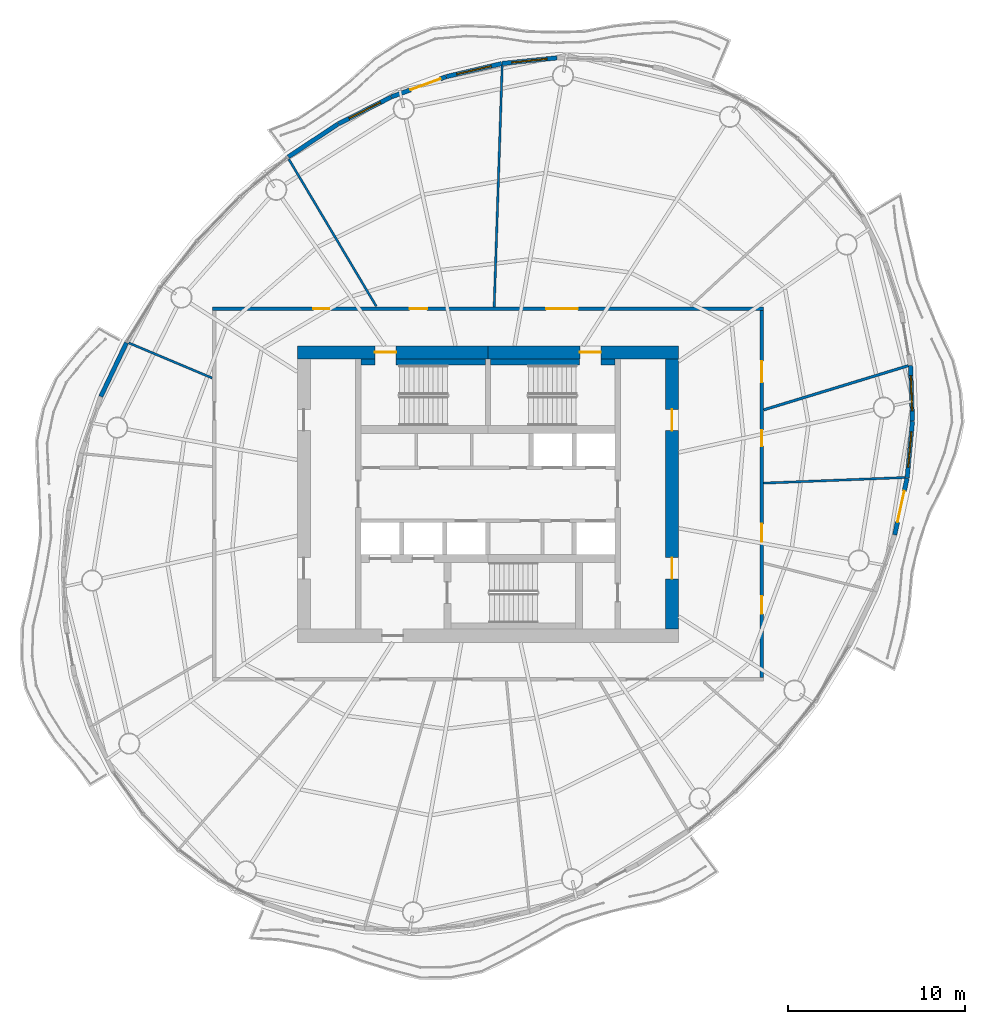
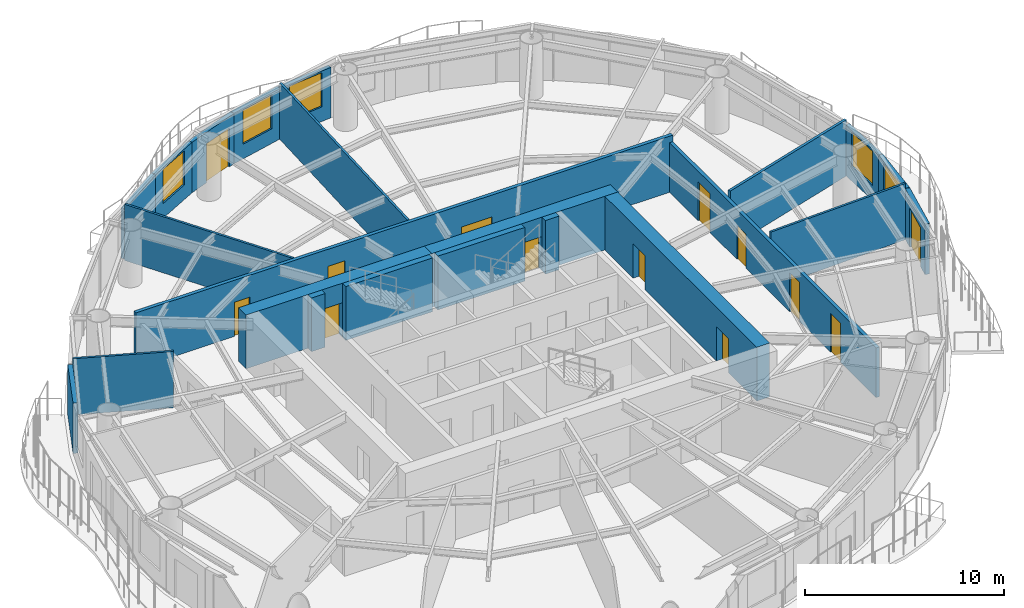
# One storey, part 10 of 14: 23 walls, 13 doors, 5 windows, 18 openings.
"""IFC4 building model written with IfcOpenShell, lengths in metres."""

from ifc_helpers import new_model, si_unit, direction, frame, frame_2d, origin, place, context, subcontext, project, spatial, rectangle, extrude, material, layer, layer_set, type_object, element, fill, save


model = new_model("IFC4")

# Units and contexts
model_context = context("Model", 3, precision=1e-05, world=origin(), true_north=direction((0.0, 1.0)))
body_context = subcontext(model_context, "Body", "Model", "MODEL_VIEW")
ifc_project = project(units=[si_unit("LENGTHUNIT", "METRE"), si_unit("AREAUNIT", "SQUARE_METRE"), si_unit("VOLUMEUNIT", "CUBIC_METRE"), si_unit("PLANEANGLEUNIT", "RADIAN"), si_unit("MASSUNIT", "GRAM", prefix="KILO")], contexts=[model_context])

# Site, building, storey
site_placement = place(None, origin())
site = spatial("IfcSite", under=ifc_project, at=site_placement, CompositionType="ELEMENT")
building_placement = place(site_placement, origin())
building = spatial("IfcBuilding", under=site, at=building_placement, Name="Vermilion Reach Broadcast Tower", CompositionType="ELEMENT")
storey_placement = place(building_placement, frame((0.0, 0.0, 228.10009765625)))
storey = spatial("IfcBuildingStorey", under=building, at=storey_placement, Name="L56", CompositionType="ELEMENT", Elevation=228.10009765625)

# Wall, opening, door
ifc_material_1 = material(Name="Concrete C60", Category="concrete")
ifc_layer_1 = layer(ifc_material_1, 0.75)
ifc_layer_set_1 = layer_set([ifc_layer_1], Name="Core outer wall 750 mm Concrete C60")
wall_type_1 = type_object("IfcWallType", Name="Core outer wall 750 mm Concrete C60", PredefinedType="SHEAR", material=ifc_layer_set_1)
wall_1_placement = place(storey_placement, frame((4.800048828125, 8.02490234375, 0.0), z_axis=(0.0, 0.0, 1.0), x_axis=(-1.0, 0.0, 0.0)))
wall_1 = element("IfcWall", 1, at=wall_1_placement, inside=storey, type_object=wall_type_1, Name="L56 core wall onE", PredefinedType="SHEAR", context=body_context, shape_type="SweptSolid", body=[
    extrude(rectangle(XDim=10.800048828125, YDim=0.75, at=frame_2d((5.39990234375, 0.0))), origin(), (0.0, 0.0, 1.0), 3.2998046875),
])
opening_1_placement = place(wall_1_placement, frame((4.39990234375, 0.0, 0.0)))
opening_1 = element("IfcOpeningElement", 2, at=opening_1_placement, cuts=wall_1, Name="Opening D01", PredefinedType="OPENING", context=body_context, shape_type="SweptSolid", body=[
    extrude(rectangle(XDim=1.199951171875, YDim=2.10009765625, at=frame_2d((0.60009765625, 1.050048828125))), frame((0.0, 0.385009765625, 0.0), z_axis=(0.0, -1.0, 0.0), x_axis=(1.0, 0.0, 0.0)), (0.0, 0.0, 1.0), 0.77001953125),
])
ifc_material_2 = material(Name="Painted steel fire door", Category="steel")
door_type_1 = type_object("IfcDoorType", Name="Stair door 1200 x 2100", OperationType="DOUBLE_DOOR_SINGLE_SWING", PredefinedType="NOTDEFINED", material=ifc_material_2)
door_1_placement = place(opening_1_placement, origin())
door_1 = element("IfcDoor", 3, at=door_1_placement, inside=storey, type_object=door_type_1, Name="L56 stair door ST2", OperationType="DOUBLE_DOOR_SINGLE_SWING", OverallHeight=2.10009765625, OverallWidth=1.199951171875, PredefinedType="NOTDEFINED", context=body_context, shape_type="SweptSolid", body=[
    extrude(rectangle(XDim=1.199951171875, YDim=2.10009765625, at=frame_2d((0.60009765625, 1.050048828125))), frame((0.0, 0.02490234375, 0.0), z_axis=(0.0, -1.0, 0.0), x_axis=(1.0, 0.0, 0.0)), (0.0, 0.0, 1.0), 0.050048828125),
])
fill(opening_1, door_1)

wall_2_placement = place(storey_placement, frame((-6.0, 8.02490234375, 0.0), z_axis=(0.0, 0.0, 1.0), x_axis=(-1.0, 0.0, 0.0)))
wall_2 = element("IfcWall", 4, at=wall_2_placement, inside=storey, type_object=wall_type_1, Name="L56 core wall onW", PredefinedType="SHEAR", context=body_context, shape_type="SweptSolid", body=[
    extrude(rectangle(XDim=10.800048828125, YDim=0.75, at=frame_2d((5.39990234375, 0.0))), origin(), (0.0, 0.0, 1.0), 3.2998046875),
])
opening_2_placement = place(wall_2_placement, frame((5.199951171875, 0.0, 0.0)))
opening_2 = element("IfcOpeningElement", 5, at=opening_2_placement, cuts=wall_2, Name="Opening D01", PredefinedType="OPENING", context=body_context, shape_type="SweptSolid", body=[
    extrude(rectangle(XDim=1.199951171875, YDim=2.10009765625, at=frame_2d((0.60009765625, 1.050048828125))), frame((0.0, 0.385009765625, 0.0), z_axis=(0.0, -1.0, 0.0), x_axis=(1.0, 0.0, 0.0)), (0.0, 0.0, 1.0), 0.77001953125),
])
door_2_placement = place(opening_2_placement, origin())
door_2 = element("IfcDoor", 6, at=door_2_placement, inside=storey, type_object=door_type_1, Name="L56 stair door ST1", OperationType="DOUBLE_DOOR_SINGLE_SWING", OverallHeight=2.10009765625, OverallWidth=1.199951171875, PredefinedType="NOTDEFINED", context=body_context, shape_type="SweptSolid", body=[
    extrude(rectangle(XDim=1.199951171875, YDim=2.10009765625, at=frame_2d((0.60009765625, 1.050048828125))), frame((0.0, 0.02490234375, 0.0), z_axis=(0.0, -1.0, 0.0), x_axis=(1.0, 0.0, 0.0)), (0.0, 0.0, 1.0), 0.050048828125),
])
fill(opening_2, door_2)

# Wall, openings, doors
wall_3_placement = place(storey_placement, frame((4.425048828125, -7.64990234375, 0.0), z_axis=(0.0, 0.0, 1.0), x_axis=(0.0, 1.0, 0.0)))
wall_3 = element("IfcWall", 7, at=wall_3_placement, inside=storey, type_object=wall_type_1, Name="L56 core wall oe", PredefinedType="SHEAR", context=body_context, shape_type="SweptSolid", body=[
    extrude(rectangle(XDim=15.2998046875, YDim=0.75, at=frame_2d((7.64990234375, 0.0))), origin(), (0.0, 0.0, 1.0), 3.2998046875),
])
opening_3_placement = place(wall_3_placement, frame((2.85009765625, 0.0, 0.0)))
opening_3 = element("IfcOpeningElement", 8, at=opening_3_placement, cuts=wall_3, Name="Opening D03", PredefinedType="OPENING", context=body_context, shape_type="SweptSolid", body=[
    extrude(rectangle(XDim=1.199951171875, YDim=2.10009765625, at=frame_2d((0.60009765625, 1.050048828125))), frame((0.0, 0.385009765625, 0.0), z_axis=(0.0, -1.0, 0.0), x_axis=(1.0, 0.0, 0.0)), (0.0, 0.0, 1.0), 0.77001953125),
])
opening_4_placement = place(wall_3_placement, frame((11.25, 0.0, 0.0)))
opening_4 = element("IfcOpeningElement", 9, at=opening_4_placement, cuts=wall_3, Name="Opening D03", PredefinedType="OPENING", context=body_context, shape_type="SweptSolid", body=[
    extrude(rectangle(XDim=1.199951171875, YDim=2.10009765625, at=frame_2d((0.60009765625, 1.050048828125))), frame((0.0, 0.385009765625, 0.0), z_axis=(0.0, -1.0, 0.0), x_axis=(1.0, 0.0, 0.0)), (0.0, 0.0, 1.0), 0.77001953125),
])
ifc_material_3 = material(Name="Painted steel fire door", Category="steel")
door_type_2 = type_object("IfcDoorType", Name="Core lobby door 1200 x 2100", OperationType="DOUBLE_DOOR_SINGLE_SWING", PredefinedType="NOTDEFINED", material=ifc_material_3)
door_3_placement = place(opening_3_placement, origin())
door_3 = element("IfcDoor", 10, at=door_3_placement, inside=storey, type_object=door_type_2, Name="L56 slot door E0", OperationType="DOUBLE_DOOR_SINGLE_SWING", OverallHeight=2.10009765625, OverallWidth=1.199951171875, PredefinedType="NOTDEFINED", context=body_context, shape_type="SweptSolid", body=[
    extrude(rectangle(XDim=1.199951171875, YDim=2.10009765625, at=frame_2d((0.60009765625, 1.050048828125))), frame((0.0, 0.02490234375, 0.0), z_axis=(0.0, -1.0, 0.0), x_axis=(1.0, 0.0, 0.0)), (0.0, 0.0, 1.0), 0.050048828125),
])
fill(opening_3, door_3)
door_4_placement = place(opening_4_placement, origin())
door_4 = element("IfcDoor", 11, at=door_4_placement, inside=storey, type_object=door_type_2, Name="L56 slot door E1", OperationType="DOUBLE_DOOR_SINGLE_SWING", OverallHeight=2.10009765625, OverallWidth=1.199951171875, PredefinedType="NOTDEFINED", context=body_context, shape_type="SweptSolid", body=[
    extrude(rectangle(XDim=1.199951171875, YDim=2.10009765625, at=frame_2d((0.60009765625, 1.050048828125))), frame((0.0, 0.02490234375, 0.0), z_axis=(0.0, -1.0, 0.0), x_axis=(1.0, 0.0, 0.0)), (0.0, 0.0, 1.0), 0.050048828125),
])
fill(opening_4, door_4)

# Walls
ifc_material_4 = material(Name="Concrete C60", Category="concrete")
ifc_layer_2 = layer(ifc_material_4, 0.35009765625)
ifc_layer_set_2 = layer_set([ifc_layer_2], Name="Core stair wall 350 mm Concrete C60")
wall_type_2 = type_object("IfcWallType", Name="Core stair wall 350 mm Concrete C60", PredefinedType="SHEAR", material=ifc_layer_set_2)
wall_4_placement = place(storey_placement, frame((-13.199951171875, 7.47509765625, 0.0), z_axis=(0.0, 0.0, 1.0), x_axis=(1.0, 0.0, 0.0)))
element("IfcWall", 12, at=wall_4_placement, inside=storey, type_object=wall_type_2, Name="L56 core wall l1a", PredefinedType="SHEAR", context=body_context, shape_type="SweptSolid", body=[
    extrude(rectangle(XDim=0.800048828125, YDim=0.35009765625, at=frame_2d((0.39990234375, 0.0))), origin(), (0.0, 0.0, 1.0), 3.2998046875),
])
for number, where, z_axis, x_axis, name in (
    (13, (-11.199951171875, 7.47509765625, 0.0), (0.0, 0.0, 1.0), (1.0, 0.0, 0.0), "L56 core wall l1b"),
    (14, (-5.85009765625, 7.47509765625, 0.0), (0.0, 0.0, 1.0), (1.0, 0.0, 0.0), "L56 core wall l2a"),
):
    element("IfcWall", number, at=place(storey_placement, frame(where, z_axis=z_axis, x_axis=x_axis)), inside=storey, type_object=wall_type_2, Name=name, PredefinedType="SHEAR", context=body_context, shape_type="SweptSolid", body=[
        extrude(rectangle(XDim=5.050048828125, YDim=0.35009765625, at=frame_2d((2.52490234375, 0.0))), origin(), (0.0, 0.0, 1.0), 3.2998046875),
    ])
wall_5_placement = place(storey_placement, frame((0.39990234375, 7.47509765625, 0.0), z_axis=(0.0, 0.0, 1.0), x_axis=(1.0, 0.0, 0.0)))
element("IfcWall", 15, at=wall_5_placement, inside=storey, type_object=wall_type_2, Name="L56 core wall l2b", PredefinedType="SHEAR", context=body_context, shape_type="SweptSolid", body=[
    extrude(rectangle(XDim=0.800048828125, YDim=0.35009765625, at=frame_2d((0.39990234375, 0.0))), origin(), (0.0, 0.0, 1.0), 3.2998046875),
])

# Wall, openings, doors
ifc_material_5 = material(Name="Fire-rated gypsum board partition")
ifc_layer_3 = layer(ifc_material_5, 0.199951171875)
ifc_layer_set_3 = layer_set([ifc_layer_3], Name="Corridor wall 200 fire-rated")
wall_type_3 = type_object("IfcWallType", Name="Corridor wall 200 fire-rated", PredefinedType="PARTITIONING", material=ifc_layer_set_3)
wall_6_placement = place(storey_placement, frame((-21.60009765625, 10.5, 0.0), z_axis=(0.0, 0.0, 1.0), x_axis=(1.0, 0.0, 0.0)))
wall_6 = element("IfcWall", 16, at=wall_6_placement, inside=storey, type_object=wall_type_3, Name="Corridor wall 56.N", PredefinedType="PARTITIONING", context=body_context, shape_type="SweptSolid", body=[
    extrude(rectangle(XDim=31.2001953125, YDim=0.199951171875, at=frame_2d((15.60009765625, 0.0))), origin(), (0.0, 0.0, 1.0), 3.449951171875),
])
opening_5_placement = place(wall_6_placement, frame((11.157470703125, 0.0, 0.0)))
opening_5 = element("IfcOpeningElement", 17, at=opening_5_placement, cuts=wall_6, Name="Opening D23", PredefinedType="OPENING", context=body_context, shape_type="SweptSolid", body=[
    extrude(rectangle(XDim=1.0, YDim=2.39990234375, at=frame_2d((0.5, 1.199951171875))), frame((0.0, 0.10986328125, 0.0), z_axis=(0.0, -1.0, 0.0), x_axis=(1.0, 0.0, 0.0)), (0.0, 0.0, 1.0), 0.219970703125),
])
opening_6_placement = place(wall_6_placement, frame((5.7119140625, 0.0, 0.0)))
opening_6 = element("IfcOpeningElement", 18, at=opening_6_placement, cuts=wall_6, Name="Opening D22", PredefinedType="OPENING", context=body_context, shape_type="SweptSolid", body=[
    extrude(rectangle(XDim=0.89990234375, YDim=2.10009765625, at=frame_2d((0.449951171875, 1.050048828125))), frame((0.0, 0.10986328125, 0.0), z_axis=(0.0, -1.0, 0.0), x_axis=(1.0, 0.0, 0.0)), (0.0, 0.0, 1.0), 0.219970703125),
])
opening_7_placement = place(wall_6_placement, frame((18.899658203125, 0.0, 0.0)))
opening_7 = element("IfcOpeningElement", 19, at=opening_7_placement, cuts=wall_6, Name="Opening D21", PredefinedType="OPENING", context=body_context, shape_type="SweptSolid", body=[
    extrude(rectangle(XDim=1.800048828125, YDim=2.10009765625, at=frame_2d((0.89990234375, 1.050048828125))), frame((0.0, 0.10986328125, 0.0), z_axis=(0.0, -1.0, 0.0), x_axis=(1.0, 0.0, 0.0)), (0.0, 0.0, 1.0), 0.219970703125),
])
ifc_material_6 = material(Name="Timber door leaf", Category="wood")
door_type_3 = type_object("IfcDoorType", Name="Door pair 1800x2100", OperationType="NOTDEFINED", PredefinedType="DOOR", material=ifc_material_6)
door_5_placement = place(opening_7_placement, origin())
door_5 = element("IfcDoor", 20, at=door_5_placement, inside=storey, type_object=door_type_3, Name="Door 56.14", OperationType="DOUBLE_DOOR_SINGLE_SWING", OverallHeight=2.10009765625, OverallWidth=1.800048828125, PredefinedType="DOOR", context=body_context, shape_type="SweptSolid", body=[
    extrude(rectangle(XDim=1.800048828125, YDim=2.10009765625, at=frame_2d((0.89990234375, 1.050048828125))), frame((0.0, 0.02490234375, 0.0), z_axis=(0.0, -1.0, 0.0), x_axis=(1.0, 0.0, 0.0)), (0.0, 0.0, 1.0), 0.050048828125),
])
fill(opening_7, door_5)
ifc_material_7 = material(Name="Veneered timber door leaf", Category="wood")
door_type_4 = type_object("IfcDoorType", Name="Door single 1000x2400", OperationType="NOTDEFINED", PredefinedType="DOOR", material=ifc_material_7)
door_6_placement = place(opening_5_placement, origin())
door_6 = element("IfcDoor", 21, at=door_6_placement, inside=storey, type_object=door_type_4, Name="Door 56.01", OperationType="SINGLE_SWING_LEFT", OverallHeight=2.39990234375, OverallWidth=1.0, PredefinedType="DOOR", context=body_context, shape_type="SweptSolid", body=[
    extrude(rectangle(XDim=1.0, YDim=2.39990234375, at=frame_2d((0.5, 1.199951171875))), frame((0.0, 0.02490234375, 0.0), z_axis=(0.0, -1.0, 0.0), x_axis=(1.0, 0.0, 0.0)), (0.0, 0.0, 1.0), 0.050048828125),
])
fill(opening_5, door_6)
ifc_material_8 = material(Name="Timber door leaf", Category="wood")
door_type_5 = type_object("IfcDoorType", Name="Door single 900x2100", OperationType="NOTDEFINED", PredefinedType="DOOR", material=ifc_material_8)
door_7_placement = place(opening_6_placement, origin())
door_7 = element("IfcDoor", 22, at=door_7_placement, inside=storey, type_object=door_type_5, Name="Door 56.02", OperationType="SINGLE_SWING_RIGHT", OverallHeight=2.10009765625, OverallWidth=0.89990234375, PredefinedType="DOOR", context=body_context, shape_type="SweptSolid", body=[
    extrude(rectangle(XDim=0.89990234375, YDim=2.10009765625, at=frame_2d((0.449951171875, 1.050048828125))), frame((0.0, 0.02490234375, 0.0), z_axis=(0.0, -1.0, 0.0), x_axis=(1.0, 0.0, 0.0)), (0.0, 0.0, 1.0), 0.050048828125),
])
fill(opening_6, door_7)

# Walls
ifc_material_9 = material(Name="Fire-rated plasterboard on steel stud", Category="steel")
ifc_layer_4 = layer(ifc_material_9, 0.125)
ifc_layer_set_4 = layer_set([ifc_layer_4], Name="Partition 125 fire-rated stud")
wall_type_4 = type_object("IfcWallType", Name="Partition 125 fire-rated stud", PredefinedType="PARTITIONING", material=ifc_layer_set_4)
wall_7_placement = place(storey_placement, frame((-5.193115234375, 24.264892578125, 0.0), z_axis=(0.0, 0.0, 1.0), x_axis=(-0.033235742761, -0.999447540096, 0.0)))
element("IfcWall", 23, at=wall_7_placement, inside=storey, type_object=wall_type_4, Name="Partition 56.01", PredefinedType="PARTITIONING", context=body_context, shape_type="SweptSolid", body=[
    extrude(rectangle(XDim=13.67041015625, YDim=0.125, at=frame_2d((6.835205078125, 0.0))), origin(), (0.0, 0.0, 1.0), 3.449951171875),
])
wall_8_placement = place(storey_placement, frame((-17.283203125, 18.970458984375, 0.0), z_axis=(0.0, 0.0, 1.0), x_axis=(0.51119848964, -0.859462683419, 0.0)))
element("IfcWall", 24, at=wall_8_placement, inside=storey, type_object=wall_type_4, Name="Partition 56.02", PredefinedType="PARTITIONING", context=body_context, shape_type="SweptSolid", body=[
    extrude(rectangle(XDim=9.7021484375, YDim=0.125, at=frame_2d((4.85107421875, 0.0))), origin(), (0.0, 0.0, 1.0), 3.449951171875),
])
wall_9_placement = place(storey_placement, frame((-26.34423828125, 8.5615234375, 0.0), z_axis=(0.0, 0.0, 1.0), x_axis=(0.921707152803, -0.387886484002, 0.0)))
element("IfcWall", 25, at=wall_9_placement, inside=storey, type_object=wall_type_4, Name="Partition 56.03", PredefinedType="PARTITIONING", context=body_context, shape_type="SweptSolid", body=[
    extrude(rectangle(XDim=5.120849609375, YDim=0.125, at=frame_2d((2.560546875, 0.0))), origin(), (0.0, 0.0, 1.0), 3.449951171875),
])
wall_10_placement = place(storey_placement, frame((17.622802734375, 0.938232421875, 0.0), z_axis=(0.0, 0.0, 1.0), x_axis=(-0.99921190204, -0.03969351107, 0.0)))
element("IfcWall", 26, at=wall_10_placement, inside=storey, type_object=wall_type_4, Name="Partition 56.12", PredefinedType="PARTITIONING", context=body_context, shape_type="SweptSolid", body=[
    extrude(rectangle(XDim=8.026611328125, YDim=0.125, at=frame_2d((4.01318359375, 0.0))), origin(), (0.0, 0.0, 1.0), 3.449951171875),
])
ifc_material_10 = material(Name="Lightweight concrete block, plastered", Category="concrete")
ifc_layer_5 = layer(ifc_material_10, 0.14990234375)
ifc_layer_set_5 = layer_set([ifc_layer_5], Name="Partition 150 lightweight block")
wall_type_5 = type_object("IfcWallType", Name="Partition 150 lightweight block", PredefinedType="PARTITIONING", material=ifc_layer_set_5)
wall_11_placement = place(storey_placement, frame((17.81201171875, 7.273193359375, 0.0), z_axis=(0.0, 0.0, 1.0), x_axis=(-0.956387195005, -0.292101922676, 0.0)))
element("IfcWall", 27, at=wall_11_placement, inside=storey, type_object=wall_type_5, Name="Partition 56.13", PredefinedType="PARTITIONING", context=body_context, shape_type="SweptSolid", body=[
    extrude(rectangle(XDim=8.563720703125, YDim=0.14990234375, at=frame_2d((4.28173828125, 0.0))), origin(), (0.0, 0.0, 1.0), 3.449951171875),
])

# Wall, opening, window
ifc_material_11 = material(Name="Terracotta rainscreen cladding", Category="masonry")
ifc_layer_6 = layer(ifc_material_11, 0.25)
ifc_layer_set_6 = layer_set([ifc_layer_6], Name="Terracotta rainscreen wall 250")
wall_type_6 = type_object("IfcWallType", Name="Terracotta rainscreen wall 250", PredefinedType="SOLIDWALL", material=ifc_layer_set_6)
wall_12_placement = place(storey_placement, frame((-2.09423828125, 24.710693359375, 0.0), z_axis=(0.0, 0.0, 1.0), x_axis=(-0.994698961738, -0.102829837679, 0.0)))
wall_12 = element("IfcWall", 28, at=wall_12_placement, inside=storey, type_object=wall_type_6, Name="External wall L56 05", PredefinedType="SOLIDWALL", context=body_context, shape_type="SweptSolid", body=[
    extrude(rectangle(XDim=3.12451171875, YDim=0.25, at=frame_2d((1.562255859375, 0.0))), origin(), (0.0, 0.0, 1.0), 3.099853515625),
])
opening_8_placement = place(wall_12_placement, frame((0.562255859375, 0.0, 0.89990234375)))
opening_8 = element("IfcOpeningElement", 29, at=opening_8_placement, cuts=wall_12, Name="Opening W03", PredefinedType="OPENING", context=body_context, shape_type="SweptSolid", body=[
    extrude(rectangle(XDim=2.0, YDim=2.10009765625, at=frame_2d((1.0, 1.050048828125))), frame((0.0, 0.135009765625, 0.0), z_axis=(0.0, -1.0, 0.0), x_axis=(1.0, 0.0, 0.0)), (0.0, 0.0, 1.0), 0.27001953125),
])
ifc_material_12 = material(Name="Low-e laminated clear glass in aluminium frame", Category="aluminium")
window_type = type_object("IfcWindowType", Name="Punched window 2000 x 2100 sill 900", PartitioningType="SINGLE_PANEL", PredefinedType="WINDOW", material=ifc_material_12)
window_1_placement = place(opening_8_placement, origin())
window_1 = element("IfcWindow", 30, at=window_1_placement, inside=storey, type_object=window_type, Name="Window L56 05", OverallHeight=2.10009765625, OverallWidth=2.0, PartitioningType="SINGLE_PANEL", PredefinedType="WINDOW", context=body_context, shape_type="SweptSolid", body=[
    extrude(rectangle(XDim=2.0, YDim=2.10009765625, at=frame_2d((1.0, 1.050048828125))), frame((0.0, 0.030029296875, 0.0), z_axis=(0.0, -1.0, 0.0), x_axis=(1.0, 0.0, 0.0)), (0.0, 0.0, 1.0), 0.06005859375),
])
fill(opening_8, window_1)

wall_13_placement = place(storey_placement, frame((-5.225830078125, 24.38525390625, 0.0), z_axis=(0.0, 0.0, 1.0), x_axis=(-0.973354292657, -0.229306391027, 0.0)))
wall_13 = element("IfcWall", 31, at=wall_13_placement, inside=storey, type_object=wall_type_6, Name="External wall L56 06", PredefinedType="SOLIDWALL", context=body_context, shape_type="SweptSolid", body=[
    extrude(rectangle(XDim=3.2099609375, YDim=0.25, at=frame_2d((1.60498046875, 0.0))), origin(), (0.0, 0.0, 1.0), 3.099853515625),
])
opening_9_placement = place(wall_13_placement, frame((0.60498046875, 0.0, 0.89990234375)))
opening_9 = element("IfcOpeningElement", 32, at=opening_9_placement, cuts=wall_13, Name="Opening W03", PredefinedType="OPENING", context=body_context, shape_type="SweptSolid", body=[
    extrude(rectangle(XDim=2.0, YDim=2.10009765625, at=frame_2d((1.0, 1.050048828125))), frame((0.0, 0.135009765625, 0.0), z_axis=(0.0, -1.0, 0.0), x_axis=(1.0, 0.0, 0.0)), (0.0, 0.0, 1.0), 0.27001953125),
])
window_2_placement = place(opening_9_placement, origin())
window_2 = element("IfcWindow", 33, at=window_2_placement, inside=storey, type_object=window_type, Name="Window L56 06", OverallHeight=2.10009765625, OverallWidth=2.0, PartitioningType="SINGLE_PANEL", PredefinedType="WINDOW", context=body_context, shape_type="SweptSolid", body=[
    extrude(rectangle(XDim=2.0, YDim=2.10009765625, at=frame_2d((1.0, 1.050048828125))), frame((0.0, 0.030029296875, 0.0), z_axis=(0.0, -1.0, 0.0), x_axis=(1.0, 0.0, 0.0)), (0.0, 0.0, 1.0), 0.06005859375),
])
fill(opening_9, window_2)

# Wall, opening, door
wall_14_placement = place(storey_placement, frame((-8.372802734375, 23.642333984375, 0.0), z_axis=(0.0, 0.0, 1.0), x_axis=(-0.938142825337, -0.346248522408, 0.0)))
wall_14 = element("IfcWall", 34, at=wall_14_placement, inside=storey, type_object=wall_type_6, Name="External wall L56 07", PredefinedType="SOLIDWALL", context=body_context, shape_type="SweptSolid", body=[
    extrude(rectangle(XDim=3.290771484375, YDim=0.25, at=frame_2d((1.6455078125, 0.0))), origin(), (0.0, 0.0, 1.0), 3.099853515625),
])
opening_10_placement = place(wall_14_placement, frame((0.344970703125, 0.0, 0.0)))
opening_10 = element("IfcOpeningElement", 35, at=opening_10_placement, cuts=wall_14, Name="Opening D70", PredefinedType="OPENING", context=body_context, shape_type="SweptSolid", body=[
    extrude(rectangle(XDim=1.800048828125, YDim=2.39990234375, at=frame_2d((0.89990234375, 1.199951171875))), frame((0.0, 0.135009765625, 0.0), z_axis=(0.0, -1.0, 0.0), x_axis=(1.0, 0.0, 0.0)), (0.0, 0.0, 1.0), 0.27001953125),
])
ifc_material_13 = material(Name="Low-e laminated clear glass in aluminium frame", Category="aluminium")
door_type_6 = type_object("IfcDoorType", Name="Balcony sliding door 1800 x 2400", OperationType="DOUBLE_DOOR_SLIDING", PredefinedType="DOOR", material=ifc_material_13)
door_8_placement = place(opening_10_placement, origin())
door_8 = element("IfcDoor", 36, at=door_8_placement, inside=storey, type_object=door_type_6, Name="Balcony door L56 run 02", OperationType="DOUBLE_DOOR_SLIDING", OverallHeight=2.39990234375, OverallWidth=1.800048828125, PredefinedType="DOOR", context=body_context, shape_type="SweptSolid", body=[
    extrude(rectangle(XDim=1.800048828125, YDim=2.39990234375, at=frame_2d((0.89990234375, 1.199951171875))), frame((0.0, 0.02490234375, 0.0), z_axis=(0.0, -1.0, 0.0), x_axis=(1.0, 0.0, 0.0)), (0.0, 0.0, 1.0), 0.050048828125),
])
fill(opening_10, door_8)

# Wall, opening, window
wall_15_placement = place(storey_placement, frame((-11.48046875, 22.493896484375, 0.0), z_axis=(0.0, 0.0, 1.0), x_axis=(-0.891355783228, -0.453304387478, 0.0)))
wall_15 = element("IfcWall", 37, at=wall_15_placement, inside=storey, type_object=wall_type_6, Name="External wall L56 08", PredefinedType="SOLIDWALL", context=body_context, shape_type="SweptSolid", body=[
    extrude(rectangle(XDim=3.361328125, YDim=0.25, at=frame_2d((1.6806640625, 0.0))), origin(), (0.0, 0.0, 1.0), 3.099853515625),
])
opening_11_placement = place(wall_15_placement, frame((0.6806640625, 0.0, 0.89990234375)))
opening_11 = element("IfcOpeningElement", 38, at=opening_11_placement, cuts=wall_15, Name="Opening W03", PredefinedType="OPENING", context=body_context, shape_type="SweptSolid", body=[
    extrude(rectangle(XDim=2.0, YDim=2.10009765625, at=frame_2d((1.0, 1.050048828125))), frame((0.0, 0.135009765625, 0.0), z_axis=(0.0, -1.0, 0.0), x_axis=(1.0, 0.0, 0.0)), (0.0, 0.0, 1.0), 0.27001953125),
])
window_3_placement = place(opening_11_placement, origin())
window_3 = element("IfcWindow", 39, at=window_3_placement, inside=storey, type_object=window_type, Name="Window L56 08", OverallHeight=2.10009765625, OverallWidth=2.0, PartitioningType="SINGLE_PANEL", PredefinedType="WINDOW", context=body_context, shape_type="SweptSolid", body=[
    extrude(rectangle(XDim=2.0, YDim=2.10009765625, at=frame_2d((1.0, 1.050048828125))), frame((0.0, 0.030029296875, 0.0), z_axis=(0.0, -1.0, 0.0), x_axis=(1.0, 0.0, 0.0)), (0.0, 0.0, 1.0), 0.06005859375),
])
fill(opening_11, window_3)

# Walls
for number, where, z_axis, x_axis, name in (
    (40, (-14.495849609375, 20.959228515625, 0.0), (0.0, 0.0, 1.0), (-0.834690576906, -0.550719203247, 0.0), "External wall L56 09"),
    (41, (-26.477783203125, 8.57177734375, 0.0), (0.0, 0.0, 1.0), (-0.430461639922, -0.902608872411, 0.0), "External wall L56 14"),
):
    element("IfcWall", number, at=place(storey_placement, frame(where, z_axis=z_axis, x_axis=x_axis)), inside=storey, type_object=wall_type_6, Name=name, PredefinedType="SOLIDWALL", context=body_context, shape_type="SweptSolid", body=[
        extrude(rectangle(XDim=3.37353515625, YDim=0.25, at=frame_2d((1.686767578125, 0.0))), origin(), (0.0, 0.0, 1.0), 3.099853515625),
    ])

# Wall, opening, door
wall_16_placement = place(storey_placement, frame((17.04052734375, -2.30712890625, 0.0), z_axis=(0.0, 0.0, 1.0), x_axis=(0.213732278163, 0.976892273115, 0.0)))
wall_16 = element("IfcWall", 42, at=wall_16_placement, inside=storey, type_object=wall_type_6, Name="External wall L56 40", PredefinedType="SOLIDWALL", context=body_context, shape_type="SweptSolid", body=[
    extrude(rectangle(XDim=3.290771484375, YDim=0.25, at=frame_2d((1.6455078125, 0.0))), origin(), (0.0, 0.0, 1.0), 3.099853515625),
])
opening_12_placement = place(wall_16_placement, frame((0.7451171875, 0.0, 0.0)))
opening_12 = element("IfcOpeningElement", 43, at=opening_12_placement, cuts=wall_16, Name="Opening D70", PredefinedType="OPENING", context=body_context, shape_type="SweptSolid", body=[
    extrude(rectangle(XDim=1.800048828125, YDim=2.39990234375, at=frame_2d((0.89990234375, 1.199951171875))), frame((0.0, 0.135009765625, 0.0), z_axis=(0.0, -1.0, 0.0), x_axis=(1.0, 0.0, 0.0)), (0.0, 0.0, 1.0), 0.27001953125),
])
door_9_placement = place(opening_12_placement, origin())
door_9 = element("IfcDoor", 44, at=door_9_placement, inside=storey, type_object=door_type_6, Name="Balcony door L56 run 10", OperationType="DOUBLE_DOOR_SLIDING", OverallHeight=2.39990234375, OverallWidth=1.800048828125, PredefinedType="DOOR", context=body_context, shape_type="SweptSolid", body=[
    extrude(rectangle(XDim=1.800048828125, YDim=2.39990234375, at=frame_2d((0.89990234375, 1.199951171875))), frame((0.0, 0.02490234375, 0.0), z_axis=(0.0, -1.0, 0.0), x_axis=(1.0, 0.0, 0.0)), (0.0, 0.0, 1.0), 0.050048828125),
])
fill(opening_12, door_9)

# Wall, opening, window
wall_17_placement = place(storey_placement, frame((17.747314453125, 0.9306640625, 0.0), z_axis=(0.0, 0.0, 1.0), x_axis=(0.093086270193, 0.995658046872, 0.0)))
wall_17 = element("IfcWall", 45, at=wall_17_placement, inside=storey, type_object=wall_type_6, Name="External wall L56 41", PredefinedType="SOLIDWALL", context=body_context, shape_type="SweptSolid", body=[
    extrude(rectangle(XDim=3.210205078125, YDim=0.25, at=frame_2d((1.60498046875, 0.0))), origin(), (0.0, 0.0, 1.0), 3.099853515625),
])
opening_13_placement = place(wall_17_placement, frame((0.60498046875, 0.0, 0.89990234375)))
opening_13 = element("IfcOpeningElement", 46, at=opening_13_placement, cuts=wall_17, Name="Opening W03", PredefinedType="OPENING", context=body_context, shape_type="SweptSolid", body=[
    extrude(rectangle(XDim=2.0, YDim=2.10009765625, at=frame_2d((1.0, 1.050048828125))), frame((0.0, 0.135009765625, 0.0), z_axis=(0.0, -1.0, 0.0), x_axis=(1.0, 0.0, 0.0)), (0.0, 0.0, 1.0), 0.27001953125),
])
window_4_placement = place(opening_13_placement, origin())
window_4 = element("IfcWindow", 47, at=window_4_placement, inside=storey, type_object=window_type, Name="Window L56 41", OverallHeight=2.10009765625, OverallWidth=2.0, PartitioningType="SINGLE_PANEL", PredefinedType="WINDOW", context=body_context, shape_type="SweptSolid", body=[
    extrude(rectangle(XDim=2.0, YDim=2.10009765625, at=frame_2d((1.0, 1.050048828125))), frame((0.0, 0.030029296875, 0.0), z_axis=(0.0, -1.0, 0.0), x_axis=(1.0, 0.0, 0.0)), (0.0, 0.0, 1.0), 0.06005859375),
])
fill(opening_13, window_4)

wall_18_placement = place(storey_placement, frame((18.046630859375, 4.15087890625, 0.0), z_axis=(0.0, 0.0, 1.0), x_axis=(-0.035161980599, 0.999381626367, 0.0)))
wall_18 = element("IfcWall", 48, at=wall_18_placement, inside=storey, type_object=wall_type_6, Name="External wall L56 42", PredefinedType="SOLIDWALL", context=body_context, shape_type="SweptSolid", body=[
    extrude(rectangle(XDim=3.12451171875, YDim=0.25, at=frame_2d((1.562255859375, 0.0))), origin(), (0.0, 0.0, 1.0), 3.099853515625),
])
opening_14_placement = place(wall_18_placement, frame((0.562255859375, 0.0, 0.89990234375)))
opening_14 = element("IfcOpeningElement", 49, at=opening_14_placement, cuts=wall_18, Name="Opening W03", PredefinedType="OPENING", context=body_context, shape_type="SweptSolid", body=[
    extrude(rectangle(XDim=2.0, YDim=2.10009765625, at=frame_2d((1.0, 1.050048828125))), frame((0.0, 0.135009765625, 0.0), z_axis=(0.0, -1.0, 0.0), x_axis=(1.0, 0.0, 0.0)), (0.0, 0.0, 1.0), 0.27001953125),
])
window_5_placement = place(opening_14_placement, origin())
window_5 = element("IfcWindow", 50, at=window_5_placement, inside=storey, type_object=window_type, Name="Window L56 42", OverallHeight=2.10009765625, OverallWidth=2.0, PartitioningType="SINGLE_PANEL", PredefinedType="WINDOW", context=body_context, shape_type="SweptSolid", body=[
    extrude(rectangle(XDim=2.0, YDim=2.10009765625, at=frame_2d((1.0, 1.050048828125))), frame((0.0, 0.030029296875, 0.0), z_axis=(0.0, -1.0, 0.0), x_axis=(1.0, 0.0, 0.0)), (0.0, 0.0, 1.0), 0.06005859375),
])
fill(opening_14, window_5)

# Wall, openings, doors
ifc_material_14 = material(Name="Fire-rated gypsum board partition")
ifc_layer_7 = layer(ifc_material_14, 0.199951171875)
ifc_layer_set_7 = layer_set([ifc_layer_7], Name="Under girder: Corridor wall 200 fire-rated")
wall_type_7 = type_object("IfcWallType", Name="Under girder: Corridor wall 200 fire-rated", PredefinedType="PARTITIONING", material=ifc_layer_set_7)
wall_19_placement = place(storey_placement, frame((9.5, 10.39990234375, 0.0), z_axis=(0.0, 0.0, 1.0), x_axis=(0.0, -1.0, 0.0)))
wall_19 = element("IfcWall", 51, at=wall_19_placement, inside=storey, type_object=wall_type_7, Name="Corridor wall 56.E", PredefinedType="PARTITIONING", context=body_context, shape_type="SweptSolid", body=[
    extrude(rectangle(XDim=20.7998046875, YDim=0.199951171875, at=frame_2d((10.39990234375, 0.0))), origin(), (0.0, 0.0, 1.0), 3.0498046875),
])
opening_15_placement = place(wall_19_placement, frame((16.182373046875, 0.0, 0.0)))
opening_15 = element("IfcOpeningElement", 52, at=opening_15_placement, cuts=wall_19, Name="Opening D23", PredefinedType="OPENING", context=body_context, shape_type="SweptSolid", body=[
    extrude(rectangle(XDim=1.0, YDim=2.39990234375, at=frame_2d((0.5, 1.199951171875))), frame((0.0, 0.10986328125, 0.0), z_axis=(0.0, -1.0, 0.0), x_axis=(1.0, 0.0, 0.0)), (0.0, 0.0, 1.0), 0.219970703125),
])
opening_16_placement = place(wall_19_placement, frame((12.08642578125, 0.0, 0.0)))
opening_16 = element("IfcOpeningElement", 53, at=opening_16_placement, cuts=wall_19, Name="Opening D23", PredefinedType="OPENING", context=body_context, shape_type="SweptSolid", body=[
    extrude(rectangle(XDim=1.0, YDim=2.39990234375, at=frame_2d((0.5, 1.199951171875))), frame((0.0, 0.10986328125, 0.0), z_axis=(0.0, -1.0, 0.0), x_axis=(1.0, 0.0, 0.0)), (0.0, 0.0, 1.0), 0.219970703125),
])
opening_17_placement = place(wall_19_placement, frame((6.778564453125, 0.0, 0.0)))
opening_17 = element("IfcOpeningElement", 54, at=opening_17_placement, cuts=wall_19, Name="Opening D22", PredefinedType="OPENING", context=body_context, shape_type="SweptSolid", body=[
    extrude(rectangle(XDim=0.89990234375, YDim=2.10009765625, at=frame_2d((0.449951171875, 1.050048828125))), frame((0.0, 0.10986328125, 0.0), z_axis=(0.0, -1.0, 0.0), x_axis=(1.0, 0.0, 0.0)), (0.0, 0.0, 1.0), 0.219970703125),
])
opening_18_placement = place(wall_19_placement, frame((2.87451171875, 0.0, 0.0)))
opening_18 = element("IfcOpeningElement", 55, at=opening_18_placement, cuts=wall_19, Name="Opening D29", PredefinedType="OPENING", context=body_context, shape_type="SweptSolid", body=[
    extrude(rectangle(XDim=1.199951171875, YDim=2.39990234375, at=frame_2d((0.60009765625, 1.199951171875))), frame((0.0, 0.10986328125, 0.0), z_axis=(0.0, -1.0, 0.0), x_axis=(1.0, 0.0, 0.0)), (0.0, 0.0, 1.0), 0.219970703125),
])
door_10_placement = place(opening_15_placement, origin())
door_10 = element("IfcDoor", 56, at=door_10_placement, inside=storey, type_object=door_type_4, Name="Door 56.10", OperationType="SINGLE_SWING_LEFT", OverallHeight=2.39990234375, OverallWidth=1.0, PredefinedType="DOOR", context=body_context, shape_type="SweptSolid", body=[
    extrude(rectangle(XDim=1.0, YDim=2.39990234375, at=frame_2d((0.5, 1.199951171875))), frame((0.0, 0.02490234375, 0.0), z_axis=(0.0, -1.0, 0.0), x_axis=(1.0, 0.0, 0.0)), (0.0, 0.0, 1.0), 0.050048828125),
])
fill(opening_15, door_10)
door_11_placement = place(opening_16_placement, origin())
door_11 = element("IfcDoor", 57, at=door_11_placement, inside=storey, type_object=door_type_4, Name="Door 56.11", OperationType="SINGLE_SWING_RIGHT", OverallHeight=2.39990234375, OverallWidth=1.0, PredefinedType="DOOR", context=body_context, shape_type="SweptSolid", body=[
    extrude(rectangle(XDim=1.0, YDim=2.39990234375, at=frame_2d((0.5, 1.199951171875))), frame((0.0, 0.02490234375, 0.0), z_axis=(0.0, -1.0, 0.0), x_axis=(1.0, 0.0, 0.0)), (0.0, 0.0, 1.0), 0.050048828125),
])
fill(opening_16, door_11)
ifc_material_15 = material(Name="Veneered timber door leaf", Category="wood")
door_type_7 = type_object("IfcDoorType", Name="Door single 1200x2400", OperationType="NOTDEFINED", PredefinedType="DOOR", material=ifc_material_15)
door_12_placement = place(opening_18_placement, origin())
door_12 = element("IfcDoor", 58, at=door_12_placement, inside=storey, type_object=door_type_7, Name="Door 56.13", OperationType="SINGLE_SWING_RIGHT", OverallHeight=2.39990234375, OverallWidth=1.199951171875, PredefinedType="DOOR", context=body_context, shape_type="SweptSolid", body=[
    extrude(rectangle(XDim=1.199951171875, YDim=2.39990234375, at=frame_2d((0.60009765625, 1.199951171875))), frame((0.0, 0.02490234375, 0.0), z_axis=(0.0, -1.0, 0.0), x_axis=(1.0, 0.0, 0.0)), (0.0, 0.0, 1.0), 0.050048828125),
])
fill(opening_18, door_12)
door_13_placement = place(opening_17_placement, origin())
door_13 = element("IfcDoor", 59, at=door_13_placement, inside=storey, type_object=door_type_5, Name="Door 56.12", OperationType="SINGLE_SWING_LEFT", OverallHeight=2.10009765625, OverallWidth=0.89990234375, PredefinedType="DOOR", context=body_context, shape_type="SweptSolid", body=[
    extrude(rectangle(XDim=0.89990234375, YDim=2.10009765625, at=frame_2d((0.449951171875, 1.050048828125))), frame((0.0, 0.02490234375, 0.0), z_axis=(0.0, -1.0, 0.0), x_axis=(1.0, 0.0, 0.0)), (0.0, 0.0, 1.0), 0.050048828125),
])
fill(opening_17, door_13)

save(model, "model.ifc")
